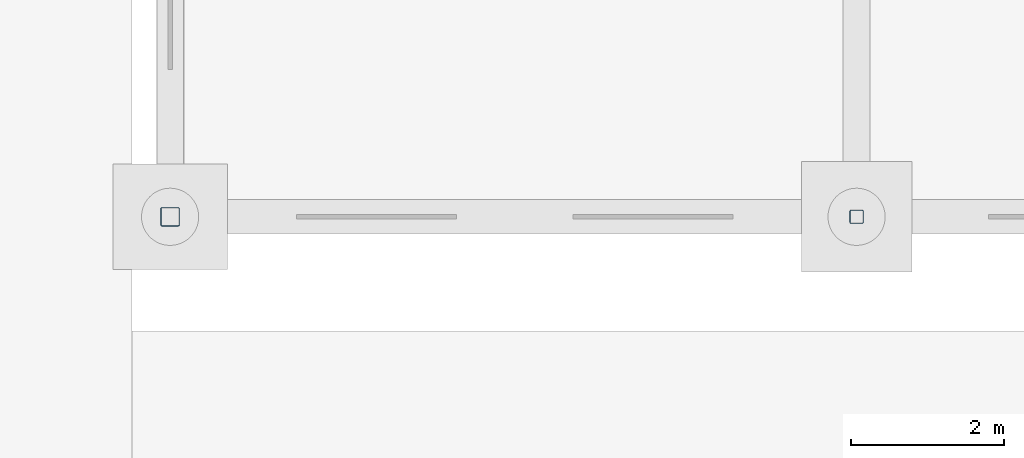
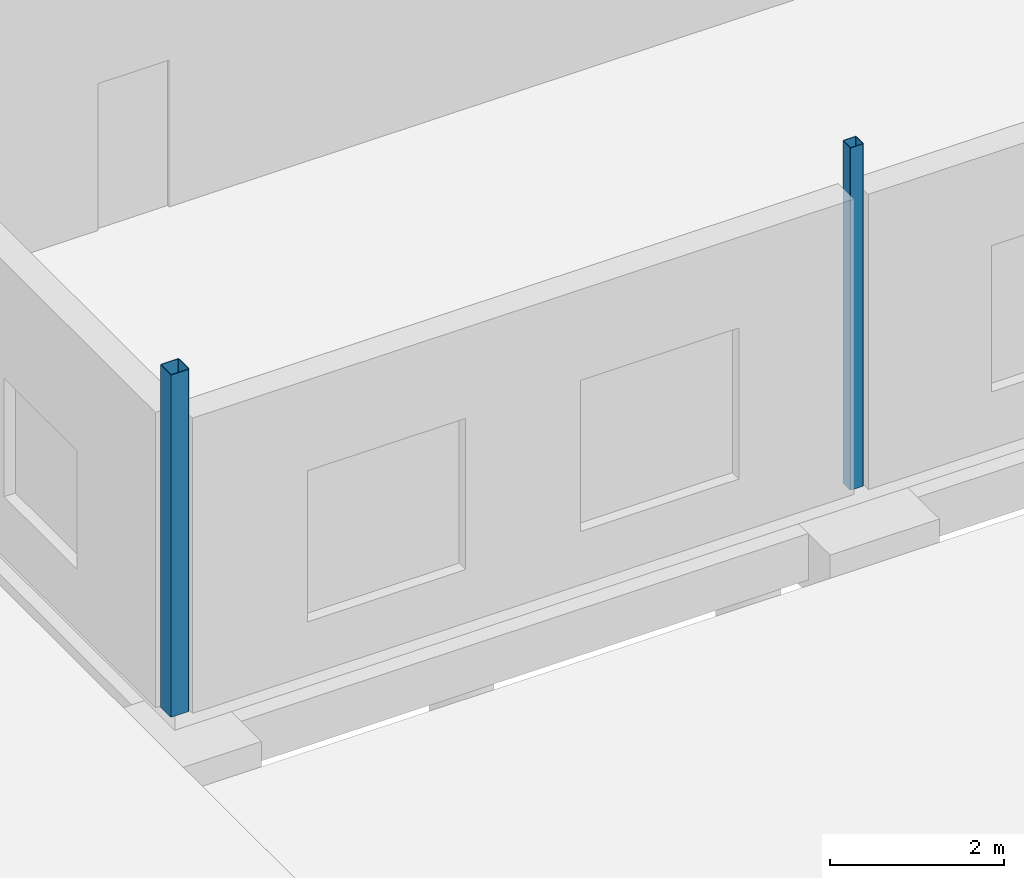
# One storey, part 31 of 112: 2 columns.
"""IFC4 building model written with IfcOpenShell, lengths in metres."""

from ifc_helpers import new_model, si_unit, direction, frame, origin, origin_2d, place, context, subcontext, project, spatial, hollow_rectangle, extrude, material, material_profile, profile_set, type_object, element, save


model = new_model("IFC4")

# Units and contexts
model_context = context("Model", 3, precision=1e-05, world=origin(), true_north=direction((0.0, 1.0)))
body_context = subcontext(model_context, "Body", "Model", "MODEL_VIEW")
ifc_project = project(units=[si_unit("LENGTHUNIT", "METRE"), si_unit("AREAUNIT", "SQUARE_METRE"), si_unit("VOLUMEUNIT", "CUBIC_METRE"), si_unit("PLANEANGLEUNIT", "RADIAN"), si_unit("MASSUNIT", "GRAM", prefix="KILO")], contexts=[model_context])

# Site, building, storey
site_placement = place(None, origin())
site = spatial("IfcSite", under=ifc_project, at=site_placement, CompositionType="ELEMENT")
building_placement = place(site_placement, origin())
building = spatial("IfcBuilding", under=site, at=building_placement, Name="Tharagai Park Tramway Depot", CompositionType="ELEMENT")
storey_placement = place(building_placement, origin())
storey = spatial("IfcBuildingStorey", under=building, at=storey_placement, Name="L00", CompositionType="ELEMENT", Elevation=0.0)

# Columns
ifc_material = material(Name="Steel E350", Category="steel")
ifc_material_profile_1 = material_profile(ifc_material, hollow_rectangle(XDim=0.179931640625, YDim=0.179931640625, WallThickness=0.008056640625, InnerFilletRadius=0.008056640625, OuterFilletRadius=0.01611328125, at=origin_2d()), Name="SHS 180x180x8")
ifc_profile_set_1 = profile_set([ifc_material_profile_1], Name="Steel E350")
column_type_1 = type_object("IfcColumnType", Name="CL-04", PredefinedType="COLUMN", material=ifc_profile_set_1)
column_1_placement = place(storey_placement, frame((180.0, 54.0, 0.0), z_axis=(0.0, 0.0, 1.0), x_axis=(1.0, 0.0, 0.0)))
element("IfcColumn", 1, at=column_1_placement, inside=storey, type_object=column_type_1, Name="L00 Structural Column CL-04 (180,54)", PredefinedType="COLUMN", context=body_context, shape_type="SweptSolid", body=[
    extrude(hollow_rectangle(XDim=0.179931640625, YDim=0.179931640625, WallThickness=0.008056640625, InnerFilletRadius=0.008056640625, OuterFilletRadius=0.01611328125, at=origin_2d()), origin(), (0.0, 0.0, 1.0), 4.800048828125),
])
ifc_material_profile_2 = material_profile(ifc_material, hollow_rectangle(XDim=0.25, YDim=0.25, WallThickness=0.010009765625, InnerFilletRadius=0.010009765625, OuterFilletRadius=0.02001953125, at=origin_2d()), Name="SHS 250x250x10")
ifc_profile_set_2 = profile_set([ifc_material_profile_2], Name="Steel E350")
column_type_2 = type_object("IfcColumnType", Name="CL-14", PredefinedType="COLUMN", material=ifc_profile_set_2)
column_2_placement = place(storey_placement, frame((171.0, 54.0, 0.0), z_axis=(0.0, 0.0, 1.0), x_axis=(1.0, 0.0, 0.0)))
element("IfcColumn", 2, at=column_2_placement, inside=storey, type_object=column_type_2, Name="L00 Structural Column CL-14 (171,54)", PredefinedType="COLUMN", context=body_context, shape_type="SweptSolid", body=[
    extrude(hollow_rectangle(XDim=0.25, YDim=0.25, WallThickness=0.010009765625, InnerFilletRadius=0.010009765625, OuterFilletRadius=0.02001953125, at=origin_2d()), origin(), (0.0, 0.0, 1.0), 4.800048828125),
])

save(model, "model.ifc")
